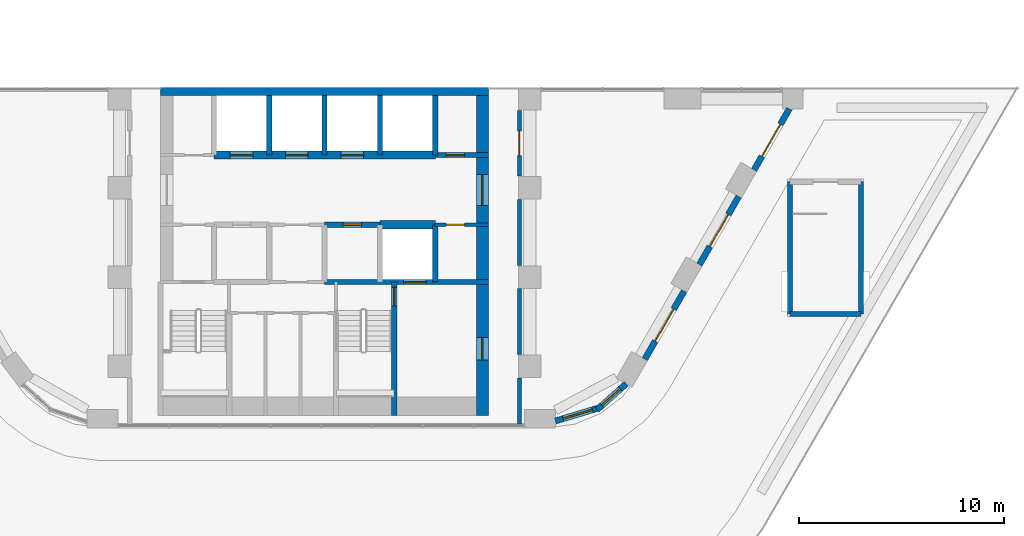
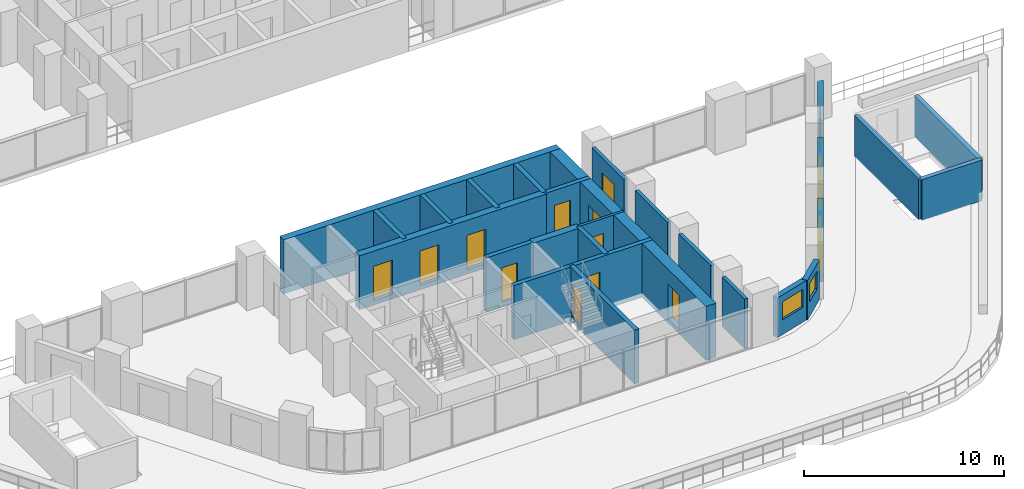
# One storey, part 12 of 24: 26 walls, 14 doors, 2 windows, 16 openings.
"""IFC4 building model written with IfcOpenShell, lengths in metres."""

from ifc_helpers import new_model, si_unit, direction, frame, frame_2d, origin, place, context, subcontext, project, spatial, rectangle, extrude, material, layer, layer_set, type_object, element, fill, save


model = new_model("IFC4")

# Units and contexts
model_context = context("Model", 3, precision=1e-05, world=origin(), true_north=direction((0.0, 1.0)))
body_context = subcontext(model_context, "Body", "Model", "MODEL_VIEW")
ifc_project = project(units=[si_unit("LENGTHUNIT", "METRE"), si_unit("AREAUNIT", "SQUARE_METRE"), si_unit("VOLUMEUNIT", "CUBIC_METRE"), si_unit("PLANEANGLEUNIT", "RADIAN"), si_unit("MASSUNIT", "GRAM", prefix="KILO")], contexts=[model_context])

# Site, building, storey
site_placement = place(None, origin())
site = spatial("IfcSite", under=ifc_project, at=site_placement, CompositionType="ELEMENT")
building_placement = place(site_placement, origin())
building = spatial("IfcBuilding", under=site, at=building_placement, Name="Nakaniwa Court", CompositionType="ELEMENT")
storey_placement = place(building_placement, frame((0.0, 0.0, 28.199951171875)))
storey = spatial("IfcBuildingStorey", under=building, at=storey_placement, Name="L06", CompositionType="ELEMENT", Elevation=28.199951171875)

# Walls
ifc_material_1 = material(Name="Acoustic double stud partition")
ifc_layer_1 = layer(ifc_material_1, 0.199951171875)
ifc_layer_set_1 = layer_set([ifc_layer_1], Name="Acoustic double stud partition")
wall_type_1 = type_object("IfcWallType", Name="Acoustic double stud partition 200", PredefinedType="PARTITIONING", material=ifc_layer_set_1)
wall_1_placement = place(storey_placement, frame((89.5, 56.179931640625, 0.0), z_axis=(0.0, 0.0, 1.0), x_axis=(0.0, 1.0, 0.0)))
element("IfcWall", 1, at=wall_1_placement, inside=storey, type_object=wall_type_1, Name="Partition PW-069", PredefinedType="PARTITIONING", context=body_context, shape_type="SweptSolid", body=[
    extrude(rectangle(XDim=2.253173828125, YDim=0.199951171875, at=frame_2d((1.12646484375, 0.0))), origin(), (0.0, 0.0, 1.0), 3.025146484375),
])
for number, where, z_axis, x_axis, name in (
    (2, (89.5, 59.56689453125, 0.0), (0.0, 0.0, 1.0), (0.0, 1.0, 0.0), "Partition PW-070"),
    (3, (89.5, 63.9169921875, 0.0), (0.0, 0.0, 1.0), (0.0, 1.0, 0.0), "Partition PW-071"),
):
    element("IfcWall", number, at=place(storey_placement, frame(where, z_axis=z_axis, x_axis=x_axis)), inside=storey, type_object=wall_type_1, Name=name, PredefinedType="PARTITIONING", context=body_context, shape_type="SweptSolid", body=[
        extrude(rectangle(XDim=3.216064453125, YDim=0.199951171875, at=frame_2d((1.60791015625, 0.0))), origin(), (0.0, 0.0, 1.0), 3.025146484375),
    ])

# Wall, opening, door
wall_2_placement = place(storey_placement, frame((89.5, 71.48291015625, 0.0), z_axis=(0.0, 0.0, 1.0), x_axis=(0.0, -1.0, 0.0)))
wall_2 = element("IfcWall", 4, at=wall_2_placement, inside=storey, type_object=wall_type_1, Name="Partition PW-072", PredefinedType="PARTITIONING", context=body_context, shape_type="SweptSolid", body=[
    extrude(rectangle(XDim=3.2158203125, YDim=0.199951171875, at=frame_2d((1.60791015625, 0.0))), origin(), (0.0, 0.0, 1.0), 3.025146484375),
])
opening_1_placement = place(wall_2_placement, frame((1.008056640625, 0.0, 0.0)))
opening_1 = element("IfcOpeningElement", 5, at=opening_1_placement, cuts=wall_2, Name="Opening D-30-01", PredefinedType="OPENING", context=body_context, shape_type="SweptSolid", body=[
    extrude(rectangle(XDim=1.199951171875, YDim=2.10009765625, at=frame_2d((0.60009765625, 1.050048828125))), frame((0.0, 0.10986328125, 0.0), z_axis=(0.0, -1.0, 0.0), x_axis=(1.0, 0.0, 0.0)), (0.0, 0.0, 1.0), 0.219970703125),
])
ifc_material_2 = material(Name="Solid core timber door set, black veneer", Category="wood")
door_type_1 = type_object("IfcDoorType", Name="Internal door 1200", OperationType="NOTDEFINED", PredefinedType="DOOR", material=ifc_material_2)
door_1_placement = place(opening_1_placement, origin())
door_1 = element("IfcDoor", 6, at=door_1_placement, inside=storey, type_object=door_type_1, Name="Door D-30-01 L06-027", OperationType="SINGLE_SWING_RIGHT", OverallHeight=2.10009765625, OverallWidth=1.199951171875, PredefinedType="DOOR", context=body_context, shape_type="SweptSolid", body=[
    extrude(rectangle(XDim=1.199951171875, YDim=2.10009765625, at=frame_2d((0.60009765625, 1.050048828125))), frame((0.0, 0.02490234375, 0.0), z_axis=(0.0, -1.0, 0.0), x_axis=(1.0, 0.0, 0.0)), (0.0, 0.0, 1.0), 0.050048828125),
])
fill(opening_1, door_1)

ifc_material_3 = material(Name="Charcoal ceramic cladding")
ifc_layer_2 = layer(ifc_material_3, 0.02, Name="Ceramic cladding")
ifc_material_4 = material(Name="Ventilated air cavity")
ifc_layer_3 = layer(ifc_material_4, 0.04, ventilated=True, Name="Ventilated cavity")
ifc_material_5 = material(Name="Mineral wool insulation")
ifc_layer_4 = layer(ifc_material_5, 0.1, Name="Insulation")
ifc_material_6 = material(Name="Cement bonded sheathing board")
ifc_layer_5 = layer(ifc_material_6, 0.012, Name="Sheathing")
ifc_material_7 = material(Name="Cold-formed galvanised stud frame with mineral wool infill")
ifc_layer_6 = layer(ifc_material_7, 0.1, Name="Stud frame")
ifc_material_8 = material(Name="Fire-rated gypsum plasterboard lining")
ifc_layer_7 = layer(ifc_material_8, 0.028, Name="Lining")
ifc_layer_set_2 = layer_set([ifc_layer_2, ifc_layer_3, ifc_layer_4, ifc_layer_5, ifc_layer_6, ifc_layer_7], Name="Charcoal ceramic faced external wall system")
wall_type_2 = type_object("IfcWallType", Name="Black ceramic faced external wall 300", PredefinedType="SOLIDWALL", material=ifc_layer_set_2)
wall_3_placement = place(storey_placement, frame((98.2783203125, 63.958984375, 0.0), z_axis=(0.0, 0.0, 1.0), x_axis=(0.500001735503, 0.866024401789, 0.0)))
wall_3 = element("IfcWall", 7, at=wall_3_placement, inside=storey, type_object=wall_type_2, Name="L06 deck wall 00", PredefinedType="SOLIDWALL", context=body_context, shape_type="SweptSolid", body=[
    extrude(rectangle(XDim=3.833984375, YDim=0.300048828125, at=frame_2d((1.9169921875, 0.0))), origin(), (0.0, 0.0, 1.0), 2.425048828125),
])
opening_2_placement = place(wall_3_placement, frame((1.01708984375, 0.0, 0.0)))
opening_2 = element("IfcOpeningElement", 8, at=opening_2_placement, cuts=wall_3, Name="Opening XD9.01", PredefinedType="OPENING", context=body_context, shape_type="SweptSolid", body=[
    extrude(rectangle(XDim=1.800048828125, YDim=2.0, at=frame_2d((0.89990234375, 1.0))), frame((0.0, 0.159912109375, 0.0), z_axis=(0.0, -1.0, 0.0), x_axis=(1.0, 0.0, 0.0)), (0.0, 0.0, 1.0), 0.320068359375),
])
ifc_material_9 = material(Name="Black powder-coated aluminium frame with dark laminated glass", Category="aluminium")
door_type_2 = type_object("IfcDoorType", Name="Deck double door 1800x2000", OperationType="DOUBLE_DOOR_SINGLE_SWING", PredefinedType="DOOR", material=ifc_material_9)
door_2_placement = place(opening_2_placement, frame((1.800048828125, 0.0, 0.0), z_axis=(0.0, 0.0, 1.0), x_axis=(-1.0, 0.0, 0.0)))
door_2 = element("IfcDoor", 9, at=door_2_placement, inside=storey, type_object=door_type_2, Name="L06 deck double door 00", OperationType="DOUBLE_DOOR_SINGLE_SWING", OverallHeight=2.0, OverallWidth=1.800048828125, PredefinedType="DOOR", context=body_context, shape_type="SweptSolid", body=[
    extrude(rectangle(XDim=1.800048828125, YDim=2.0, at=frame_2d((0.89990234375, 1.0))), frame((0.0, 0.02490234375, 0.0), z_axis=(0.0, -1.0, 0.0), x_axis=(1.0, 0.0, 0.0)), (0.0, 0.0, 1.0), 0.050048828125),
])
fill(opening_2, door_2)

wall_4_placement = place(storey_placement, frame((100.941162109375, 68.5712890625, 0.0), z_axis=(0.0, 0.0, 1.0), x_axis=(0.500035437112, 0.866004943191, 0.0)))
wall_4 = element("IfcWall", 10, at=wall_4_placement, inside=storey, type_object=wall_type_2, Name="L06 deck wall 01", PredefinedType="SOLIDWALL", context=body_context, shape_type="SweptSolid", body=[
    extrude(rectangle(XDim=3.443603515625, YDim=0.300048828125, at=frame_2d((1.7216796875, 0.0))), origin(), (0.0, 0.0, 1.0), 2.425048828125),
])
opening_3_placement = place(wall_4_placement, frame((0.77099609375, 0.0, 0.0)))
opening_3 = element("IfcOpeningElement", 11, at=opening_3_placement, cuts=wall_4, Name="Opening XD9.02", PredefinedType="OPENING", context=body_context, shape_type="SweptSolid", body=[
    extrude(rectangle(XDim=1.800048828125, YDim=2.0, at=frame_2d((0.89990234375, 1.0))), frame((0.0, 0.159912109375, 0.0), z_axis=(0.0, -1.0, 0.0), x_axis=(1.0, 0.0, 0.0)), (0.0, 0.0, 1.0), 0.320068359375),
])
door_3_placement = place(opening_3_placement, frame((1.800048828125, 0.0, 0.0), z_axis=(0.0, 0.0, 1.0), x_axis=(-1.0, 0.0, 0.0)))
door_3 = element("IfcDoor", 12, at=door_3_placement, inside=storey, type_object=door_type_2, Name="L06 deck double door 01", OperationType="DOUBLE_DOOR_SINGLE_SWING", OverallHeight=2.0, OverallWidth=1.800048828125, PredefinedType="DOOR", context=body_context, shape_type="SweptSolid", body=[
    extrude(rectangle(XDim=1.800048828125, YDim=2.0, at=frame_2d((0.89990234375, 1.0))), frame((0.0, 0.02490234375, 0.0), z_axis=(0.0, -1.0, 0.0), x_axis=(1.0, 0.0, 0.0)), (0.0, 0.0, 1.0), 0.050048828125),
])
fill(opening_3, door_3)

# Wall, opening, window
wall_5_placement = place(storey_placement, frame((91.25341796875, 56.331298828125, 0.0), z_axis=(0.0, 0.0, 1.0), x_axis=(0.957433631901, 0.288653495569, 0.0)))
wall_5 = element("IfcWall", 13, at=wall_5_placement, inside=storey, type_object=wall_type_2, Name="L06 external wall 12", PredefinedType="SOLIDWALL", context=body_context, shape_type="SweptSolid", body=[
    extrude(rectangle(XDim=2.212646484375, YDim=0.300048828125, at=frame_2d((1.1064453125, 0.0))), origin(), (0.0, 0.0, 1.0), 2.425048828125),
])
opening_4_placement = place(wall_5_placement, frame((0.394287109375, 0.0, 0.89990234375)))
opening_4 = element("IfcOpeningElement", 14, at=opening_4_placement, cuts=wall_5, Name="Opening W5.01", PredefinedType="OPENING", context=body_context, shape_type="SweptSolid", body=[
    extrude(rectangle(XDim=1.5, YDim=1.10009765625, at=frame_2d((0.75, 0.550048828125))), frame((0.0, 0.159912109375, 0.0), z_axis=(0.0, -1.0, 0.0), x_axis=(1.0, 0.0, 0.0)), (0.0, 0.0, 1.0), 0.320068359375),
])
ifc_material_10 = material(Name="Black anodised aluminium frame with dark low-E laminated double glazing", Category="aluminium")
window_type_1 = type_object("IfcWindowType", Name="Dark glass window 1500x1100 sill 900", PartitioningType="SINGLE_PANEL", PredefinedType="WINDOW", material=ifc_material_10)
window_1_placement = place(opening_4_placement, origin())
window_1 = element("IfcWindow", 15, at=window_1_placement, inside=storey, type_object=window_type_1, Name="L06 habitable room window 12-0", OverallHeight=1.10009765625, OverallWidth=1.5, PartitioningType="SINGLE_PANEL", PredefinedType="WINDOW", context=body_context, shape_type="SweptSolid", body=[
    extrude(rectangle(XDim=1.5, YDim=1.10009765625, at=frame_2d((0.75, 0.550048828125))), frame((0.0, 0.030029296875, 0.0), z_axis=(0.0, -1.0, 0.0), x_axis=(1.0, 0.0, 0.0)), (0.0, 0.0, 1.0), 0.06005859375),
])
fill(opening_4, window_1)

wall_6_placement = place(storey_placement, frame((93.288818359375, 56.882568359375, 0.0), z_axis=(0.0, 0.0, 1.0), x_axis=(0.746941556212, 0.664889698825, 0.0)))
wall_6 = element("IfcWall", 16, at=wall_6_placement, inside=storey, type_object=wall_type_2, Name="L06 external wall 13", PredefinedType="SOLIDWALL", context=body_context, shape_type="SweptSolid", body=[
    extrude(rectangle(XDim=1.9013671875, YDim=0.300048828125, at=frame_2d((0.95068359375, 0.0))), origin(), (0.0, 0.0, 1.0), 2.425048828125),
])
opening_5_placement = place(wall_6_placement, frame((0.31005859375, 0.0, 0.89990234375)))
opening_5 = element("IfcOpeningElement", 17, at=opening_5_placement, cuts=wall_6, Name="Opening W6.02", PredefinedType="OPENING", context=body_context, shape_type="SweptSolid", body=[
    extrude(rectangle(XDim=1.199951171875, YDim=1.10009765625, at=frame_2d((0.60009765625, 0.550048828125))), frame((0.0, 0.159912109375, 0.0), z_axis=(0.0, -1.0, 0.0), x_axis=(1.0, 0.0, 0.0)), (0.0, 0.0, 1.0), 0.320068359375),
])
window_type_2 = type_object("IfcWindowType", Name="Dark glass window 1200x1100 sill 900", PartitioningType="SINGLE_PANEL", PredefinedType="WINDOW", material=ifc_material_10)
window_2_placement = place(opening_5_placement, origin())
window_2 = element("IfcWindow", 18, at=window_2_placement, inside=storey, type_object=window_type_2, Name="L06 habitable room window 13-0", OverallHeight=1.10009765625, OverallWidth=1.199951171875, PartitioningType="SINGLE_PANEL", PredefinedType="WINDOW", context=body_context, shape_type="SweptSolid", body=[
    extrude(rectangle(XDim=1.199951171875, YDim=1.10009765625, at=frame_2d((0.60009765625, 0.550048828125))), frame((0.0, 0.030029296875, 0.0), z_axis=(0.0, -1.0, 0.0), x_axis=(1.0, 0.0, 0.0)), (0.0, 0.0, 1.0), 0.06005859375),
])
fill(opening_5, window_2)

# Wall, opening, door
wall_7_placement = place(storey_placement, frame((95.615234375, 59.346435546875, 0.0), z_axis=(0.0, 0.0, 1.0), x_axis=(0.499974163209, 0.866040320149, 0.0)))
wall_7 = element("IfcWall", 19, at=wall_7_placement, inside=storey, type_object=wall_type_2, Name="L06 deck wall 14", PredefinedType="SOLIDWALL", context=body_context, shape_type="SweptSolid", body=[
    extrude(rectangle(XDim=3.834228515625, YDim=0.300048828125, at=frame_2d((1.9169921875, 0.0))), origin(), (0.0, 0.0, 1.0), 2.425048828125),
])
opening_6_placement = place(wall_7_placement, frame((1.01708984375, 0.0, 0.0)))
opening_6 = element("IfcOpeningElement", 20, at=opening_6_placement, cuts=wall_7, Name="Opening XD9.06", PredefinedType="OPENING", context=body_context, shape_type="SweptSolid", body=[
    extrude(rectangle(XDim=1.800048828125, YDim=2.0, at=frame_2d((0.89990234375, 1.0))), frame((0.0, 0.159912109375, 0.0), z_axis=(0.0, -1.0, 0.0), x_axis=(1.0, 0.0, 0.0)), (0.0, 0.0, 1.0), 0.320068359375),
])
door_4_placement = place(opening_6_placement, frame((1.800048828125, 0.0, 0.0), z_axis=(0.0, 0.0, 1.0), x_axis=(-1.0, 0.0, 0.0)))
door_4 = element("IfcDoor", 21, at=door_4_placement, inside=storey, type_object=door_type_2, Name="L06 deck double door 14", OperationType="DOUBLE_DOOR_SINGLE_SWING", OverallHeight=2.0, OverallWidth=1.800048828125, PredefinedType="DOOR", context=body_context, shape_type="SweptSolid", body=[
    extrude(rectangle(XDim=1.800048828125, YDim=2.0, at=frame_2d((0.89990234375, 1.0))), frame((0.0, 0.02490234375, 0.0), z_axis=(0.0, -1.0, 0.0), x_axis=(1.0, 0.0, 0.0)), (0.0, 0.0, 1.0), 0.050048828125),
])
fill(opening_6, door_4)

ifc_material_11 = material(Name="Blockwork partition", Category="masonry")
ifc_layer_8 = layer(ifc_material_11, 0.14990234375)
ifc_layer_set_3 = layer_set([ifc_layer_8], Name="Blockwork partition")
wall_type_3 = type_object("IfcWallType", Name="Blockwork partition 150", PredefinedType="PARTITIONING", material=ifc_layer_set_3)
wall_8_placement = place(storey_placement, frame((88.0, 65.89990234375, 0.0), z_axis=(0.0, 0.0, 1.0), x_axis=(-1.0, 0.0, 0.0)))
wall_8 = element("IfcWall", 22, at=wall_8_placement, inside=storey, type_object=wall_type_3, Name="Partition PW-052", PredefinedType="PARTITIONING", context=body_context, shape_type="SweptSolid", body=[
    extrude(rectangle(XDim=2.60302734375, YDim=0.14990234375, at=frame_2d((1.301513671875, 0.0))), origin(), (0.0, 0.0, 1.0), 3.025146484375),
])
opening_7_placement = place(wall_8_placement, frame((1.175048828125, 0.0, 0.0)))
opening_7 = element("IfcOpeningElement", 23, at=opening_7_placement, cuts=wall_8, Name="Opening D-05-13", PredefinedType="OPENING", context=body_context, shape_type="SweptSolid", body=[
    extrude(rectangle(XDim=0.89990234375, YDim=2.10009765625, at=frame_2d((0.449951171875, 1.050048828125))), frame((0.0, 0.0849609375, 0.0), z_axis=(0.0, -1.0, 0.0), x_axis=(1.0, 0.0, 0.0)), (0.0, 0.0, 1.0), 0.169921875),
])
ifc_material_12 = material(Name="Fire rated steel door set", Category="steel")
door_type_3 = type_object("IfcDoorType", Name="Service room door 900", OperationType="NOTDEFINED", PredefinedType="DOOR", material=ifc_material_12)
door_5_placement = place(opening_7_placement, origin())
door_5 = element("IfcDoor", 24, at=door_5_placement, inside=storey, type_object=door_type_3, Name="Door D-05-13 L06-020", OperationType="SINGLE_SWING_LEFT", OverallHeight=2.10009765625, OverallWidth=0.89990234375, PredefinedType="DOOR", context=body_context, shape_type="SweptSolid", body=[
    extrude(rectangle(XDim=0.89990234375, YDim=2.10009765625, at=frame_2d((0.449951171875, 1.050048828125))), frame((0.0, 0.02490234375, 0.0), z_axis=(0.0, -1.0, 0.0), x_axis=(1.0, 0.0, 0.0)), (0.0, 0.0, 1.0), 0.050048828125),
])
fill(opening_7, door_5)

# Wall, openings, doors
ifc_material_13 = material(Name="Concrete C100/115", Category="concrete")
ifc_layer_9 = layer(ifc_material_13, 0.60009765625)
ifc_layer_set_4 = layer_set([ifc_layer_9], Name="Concrete C100/115")
wall_type_4 = type_object("IfcWallType", Name="Concrete core side wall 600 C100", PredefinedType="SHEAR", material=ifc_layer_set_4)
wall_9_placement = place(storey_placement, frame((87.699951171875, 72.199951171875, -0.27490234375), z_axis=(0.0, 0.0, 1.0), x_axis=(0.0, -1.0, 0.0)))
wall_9 = element("IfcWall", 25, at=wall_9_placement, inside=storey, type_object=wall_type_4, Name="Core wall SW-49", PredefinedType="SHEAR", context=body_context, shape_type="SweptSolid", body=[
    extrude(rectangle(XDim=15.599853515625, YDim=0.60009765625, at=frame_2d((7.7998046875, 0.0))), origin(), (0.0, 0.0, 1.0), 3.300048828125),
])
opening_8_placement = place(wall_9_placement, frame((3.85009765625, 0.0, 0.27490234375)))
opening_8 = element("IfcOpeningElement", 26, at=opening_8_placement, cuts=wall_9, Name="Opening D-07-03", PredefinedType="OPENING", context=body_context, shape_type="SweptSolid", body=[
    extrude(rectangle(XDim=1.5, YDim=2.10009765625, at=frame_2d((0.75, 1.050048828125))), frame((0.0, 0.31005859375, 0.0), z_axis=(0.0, -1.0, 0.0), x_axis=(1.0, 0.0, 0.0)), (0.0, 0.0, 1.0), 0.6201171875),
])
opening_9_placement = place(wall_9_placement, frame((11.800048828125, 0.0, 0.27490234375)))
opening_9 = element("IfcOpeningElement", 27, at=opening_9_placement, cuts=wall_9, Name="Opening D-10-02", PredefinedType="OPENING", context=body_context, shape_type="SweptSolid", body=[
    extrude(rectangle(XDim=1.10009765625, YDim=2.10009765625, at=frame_2d((0.550048828125, 1.050048828125))), frame((0.0, 0.31005859375, 0.0), z_axis=(0.0, -1.0, 0.0), x_axis=(1.0, 0.0, 0.0)), (0.0, 0.0, 1.0), 0.6201171875),
])
door_type_4 = type_object("IfcDoorType", Name="Firefighting lobby door 1100", OperationType="NOTDEFINED", PredefinedType="DOOR", material=ifc_material_12)
door_6_placement = place(opening_9_placement, origin())
door_6 = element("IfcDoor", 28, at=door_6_placement, inside=storey, type_object=door_type_4, Name="Door D-10-02 L06-036", OperationType="SINGLE_SWING_LEFT", OverallHeight=2.10009765625, OverallWidth=1.10009765625, PredefinedType="DOOR", context=body_context, shape_type="SweptSolid", body=[
    extrude(rectangle(XDim=1.10009765625, YDim=2.10009765625, at=frame_2d((0.550048828125, 1.050048828125))), frame((0.0, 0.02490234375, 0.0), z_axis=(0.0, -1.0, 0.0), x_axis=(1.0, 0.0, 0.0)), (0.0, 0.0, 1.0), 0.050048828125),
])
fill(opening_9, door_6)
ifc_material_14 = material(Name="Glazed fire rated steel double door set", Category="steel")
door_type_5 = type_object("IfcDoorType", Name="Lobby double door 1500", OperationType="NOTDEFINED", PredefinedType="DOOR", material=ifc_material_14)
door_7_placement = place(opening_8_placement, origin())
door_7 = element("IfcDoor", 29, at=door_7_placement, inside=storey, type_object=door_type_5, Name="Door D-07-03 L06-034", OperationType="DOUBLE_DOOR_SINGLE_SWING", OverallHeight=2.10009765625, OverallWidth=1.5, PredefinedType="DOOR", context=body_context, shape_type="SweptSolid", body=[
    extrude(rectangle(XDim=1.5, YDim=2.10009765625, at=frame_2d((0.75, 1.050048828125))), frame((0.0, 0.02490234375, 0.0), z_axis=(0.0, -1.0, 0.0), x_axis=(1.0, 0.0, 0.0)), (0.0, 0.0, 1.0), 0.050048828125),
])
fill(opening_8, door_7)

ifc_layer_10 = layer(ifc_material_13, 0.39990234375)
ifc_layer_set_5 = layer_set([ifc_layer_10], Name="Concrete C100/115")
wall_type_5 = type_object("IfcWallType", Name="Concrete core spine wall 400 C100", PredefinedType="SHEAR", material=ifc_layer_set_5)
wall_10_placement = place(storey_placement, frame((74.60009765625, 69.300048828125, -0.27490234375), z_axis=(0.0, 0.0, 1.0), x_axis=(1.0, 0.0, 0.0)))
wall_10 = element("IfcWall", 30, at=wall_10_placement, inside=storey, type_object=wall_type_5, Name="Core wall SW-41", PredefinedType="SHEAR", context=body_context, shape_type="SweptSolid", body=[
    extrude(rectangle(XDim=10.7998046875, YDim=0.39990234375, at=frame_2d((5.39990234375, 0.0))), origin(), (0.0, 0.0, 1.0), 3.300048828125),
])
opening_10_placement = place(wall_10_placement, frame((0.800048828125, 0.0, 0.27490234375)))
opening_10 = element("IfcOpeningElement", 31, at=opening_10_placement, cuts=wall_10, Name="Opening LD05", PredefinedType="OPENING", context=body_context, shape_type="SweptSolid", body=[
    extrude(rectangle(XDim=1.10009765625, YDim=2.10009765625, at=frame_2d((0.550048828125, 1.050048828125))), frame((0.0, 0.2099609375, 0.0), z_axis=(0.0, -1.0, 0.0), x_axis=(1.0, 0.0, 0.0)), (0.0, 0.0, 1.0), 0.419921875),
])
opening_11_placement = place(wall_10_placement, frame((3.5, 0.0, 0.27490234375)))
opening_11 = element("IfcOpeningElement", 32, at=opening_11_placement, cuts=wall_10, Name="Opening LD06", PredefinedType="OPENING", context=body_context, shape_type="SweptSolid", body=[
    extrude(rectangle(XDim=1.10009765625, YDim=2.10009765625, at=frame_2d((0.550048828125, 1.050048828125))), frame((0.0, 0.2099609375, 0.0), z_axis=(0.0, -1.0, 0.0), x_axis=(1.0, 0.0, 0.0)), (0.0, 0.0, 1.0), 0.419921875),
])
opening_12_placement = place(wall_10_placement, frame((6.199951171875, 0.0, 0.27490234375)))
opening_12 = element("IfcOpeningElement", 33, at=opening_12_placement, cuts=wall_10, Name="Opening LD07", PredefinedType="OPENING", context=body_context, shape_type="SweptSolid", body=[
    extrude(rectangle(XDim=1.10009765625, YDim=2.10009765625, at=frame_2d((0.550048828125, 1.050048828125))), frame((0.0, 0.2099609375, 0.0), z_axis=(0.0, -1.0, 0.0), x_axis=(1.0, 0.0, 0.0)), (0.0, 0.0, 1.0), 0.419921875),
])
ifc_material_15 = material(Name="Stainless steel sliding lift landing door", Category="steel")
door_type_6 = type_object("IfcDoorType", Name="Lift landing door 1100", OperationType="NOTDEFINED", PredefinedType="DOOR", material=ifc_material_15)
door_8_placement = place(opening_10_placement, origin())
door_8 = element("IfcDoor", 34, at=door_8_placement, inside=storey, type_object=door_type_6, Name="Lift landing door LD05 L06-005", OperationType="SLIDING_TO_LEFT", OverallHeight=2.10009765625, OverallWidth=1.10009765625, PredefinedType="DOOR", context=body_context, shape_type="SweptSolid", body=[
    extrude(rectangle(XDim=1.10009765625, YDim=2.10009765625, at=frame_2d((0.550048828125, 1.050048828125))), frame((0.0, 0.02490234375, 0.0), z_axis=(0.0, -1.0, 0.0), x_axis=(1.0, 0.0, 0.0)), (0.0, 0.0, 1.0), 0.050048828125),
])
fill(opening_10, door_8)
door_9_placement = place(opening_11_placement, origin())
door_9 = element("IfcDoor", 35, at=door_9_placement, inside=storey, type_object=door_type_6, Name="Lift landing door LD06 L06-006", OperationType="SLIDING_TO_LEFT", OverallHeight=2.10009765625, OverallWidth=1.10009765625, PredefinedType="DOOR", context=body_context, shape_type="SweptSolid", body=[
    extrude(rectangle(XDim=1.10009765625, YDim=2.10009765625, at=frame_2d((0.550048828125, 1.050048828125))), frame((0.0, 0.02490234375, 0.0), z_axis=(0.0, -1.0, 0.0), x_axis=(1.0, 0.0, 0.0)), (0.0, 0.0, 1.0), 0.050048828125),
])
fill(opening_11, door_9)
door_10_placement = place(opening_12_placement, origin())
door_10 = element("IfcDoor", 36, at=door_10_placement, inside=storey, type_object=door_type_6, Name="Lift landing door LD07 L06-007", OperationType="SLIDING_TO_LEFT", OverallHeight=2.10009765625, OverallWidth=1.10009765625, PredefinedType="DOOR", context=body_context, shape_type="SweptSolid", body=[
    extrude(rectangle(XDim=1.10009765625, YDim=2.10009765625, at=frame_2d((0.550048828125, 1.050048828125))), frame((0.0, 0.02490234375, 0.0), z_axis=(0.0, -1.0, 0.0), x_axis=(1.0, 0.0, 0.0)), (0.0, 0.0, 1.0), 0.050048828125),
])
fill(opening_12, door_10)

# Walls
wall_11_placement = place(storey_placement, frame((82.697021484375, 65.89990234375, -0.27490234375), z_axis=(0.0, 0.0, 1.0), x_axis=(1.0, 0.0, 0.0)))
element("IfcWall", 37, at=wall_11_placement, inside=storey, type_object=wall_type_5, Name="Core wall SW-55", PredefinedType="SHEAR", context=body_context, shape_type="SweptSolid", body=[
    extrude(rectangle(XDim=2.7060546875, YDim=0.39990234375, at=frame_2d((1.35302734375, 0.0))), origin(), (0.0, 0.0, 1.0), 3.300048828125),
])
ifc_layer_11 = layer(ifc_material_13, 0.39990234375)
ifc_layer_set_6 = layer_set([ifc_layer_11], Name="Concrete C100/115")
wall_type_6 = type_object("IfcWallType", Name="Concrete core well wall 400 C100", PredefinedType="SHEAR", material=ifc_layer_set_6)
wall_12_placement = place(storey_placement, frame((72.00390625, 72.39990234375, -0.27490234375), z_axis=(0.0, 0.0, 1.0), x_axis=(1.0, 0.0, 0.0)))
element("IfcWall", 38, at=wall_12_placement, inside=storey, type_object=wall_type_6, Name="Core wall SW-87", PredefinedType="SHEAR", context=body_context, shape_type="SweptSolid", body=[
    extrude(rectangle(XDim=15.9921875, YDim=0.39990234375, at=frame_2d((7.99609375, 0.0))), origin(), (0.0, 0.0, 1.0), 3.300048828125),
])
ifc_layer_12 = layer(ifc_material_13, 0.25)
ifc_layer_set_7 = layer_set([ifc_layer_12], Name="Concrete C100/115")
wall_type_7 = type_object("IfcWallType", Name="Concrete shaft wall 250 C100", PredefinedType="SHEAR", material=ifc_layer_set_7)
for number, where, z_axis, x_axis, name in (
    (39, (77.300048828125, 69.300048828125, -0.27490234375), (0.0, 0.0, 1.0), (0.0, 1.0, 0.0), "Core wall SW-40"),
    (40, (80.0, 69.300048828125, -0.27490234375), (0.0, 0.0, 1.0), (0.0, 1.0, 0.0), "Core wall SW-43"),
    (41, (82.699951171875, 69.300048828125, -0.27490234375), (0.0, 0.0, 1.0), (0.0, 1.0, 0.0), "Core wall SW-45"),
):
    element("IfcWall", number, at=place(storey_placement, frame(where, z_axis=z_axis, x_axis=x_axis)), inside=storey, type_object=wall_type_7, Name=name, PredefinedType="SHEAR", context=body_context, shape_type="SweptSolid", body=[
        extrude(rectangle(XDim=2.89990234375, YDim=0.25, at=frame_2d((1.449951171875, 0.0))), origin(), (0.0, 0.0, 1.0), 3.300048828125),
    ])
wall_13_placement = place(storey_placement, frame((85.39990234375, 63.10009765625, -0.27490234375), z_axis=(0.0, 0.0, 1.0), x_axis=(0.0, 1.0, 0.0)))
element("IfcWall", 42, at=wall_13_placement, inside=storey, type_object=wall_type_7, Name="Core wall SW-46", PredefinedType="SHEAR", context=body_context, shape_type="SweptSolid", body=[
    extrude(rectangle(XDim=2.7998046875, YDim=0.25, at=frame_2d((1.39990234375, 0.0))), origin(), (0.0, 0.0, 1.0), 3.300048828125),
])
wall_14_placement = place(storey_placement, frame((85.39990234375, 69.300048828125, -0.27490234375), z_axis=(0.0, 0.0, 1.0), x_axis=(0.0, 1.0, 0.0)))
element("IfcWall", 43, at=wall_14_placement, inside=storey, type_object=wall_type_7, Name="Core wall SW-47", PredefinedType="SHEAR", context=body_context, shape_type="SweptSolid", body=[
    extrude(rectangle(XDim=2.89990234375, YDim=0.25, at=frame_2d((1.449951171875, 0.0))), origin(), (0.0, 0.0, 1.0), 3.300048828125),
])

# Wall, opening, door
wall_15_placement = place(storey_placement, frame((85.39990234375, 69.300048828125, -0.27490234375), z_axis=(0.0, 0.0, 1.0), x_axis=(1.0, 0.0, 0.0)))
wall_15 = element("IfcWall", 44, at=wall_15_placement, inside=storey, type_object=wall_type_7, Name="Core wall SW-48", PredefinedType="SHEAR", context=body_context, shape_type="SweptSolid", body=[
    extrude(rectangle(XDim=2.60009765625, YDim=0.25, at=frame_2d((1.300048828125, 0.0))), origin(), (0.0, 0.0, 1.0), 3.300048828125),
])
opening_13_placement = place(wall_15_placement, frame((0.52490234375, 0.0, 0.27490234375)))
opening_13 = element("IfcOpeningElement", 45, at=opening_13_placement, cuts=wall_15, Name="Opening D-05-10", PredefinedType="OPENING", context=body_context, shape_type="SweptSolid", body=[
    extrude(rectangle(XDim=0.89990234375, YDim=2.10009765625, at=frame_2d((0.449951171875, 1.050048828125))), frame((0.0, 0.135009765625, 0.0), z_axis=(0.0, -1.0, 0.0), x_axis=(1.0, 0.0, 0.0)), (0.0, 0.0, 1.0), 0.27001953125),
])
door_11_placement = place(opening_13_placement, origin())
door_11 = element("IfcDoor", 46, at=door_11_placement, inside=storey, type_object=door_type_3, Name="Door D-05-10 L06-015", OperationType="SINGLE_SWING_RIGHT", OverallHeight=2.10009765625, OverallWidth=0.89990234375, PredefinedType="DOOR", context=body_context, shape_type="SweptSolid", body=[
    extrude(rectangle(XDim=0.89990234375, YDim=2.10009765625, at=frame_2d((0.449951171875, 1.050048828125))), frame((0.0, 0.02490234375, 0.0), z_axis=(0.0, -1.0, 0.0), x_axis=(1.0, 0.0, 0.0)), (0.0, 0.0, 1.0), 0.050048828125),
])
fill(opening_13, door_11)

wall_16_placement = place(storey_placement, frame((82.702880859375, 65.89990234375, -0.27490234375), z_axis=(0.0, 0.0, 1.0), x_axis=(-1.0, 0.0, 0.0)))
wall_16 = element("IfcWall", 47, at=wall_16_placement, inside=storey, type_object=wall_type_7, Name="Core wall SW-54", PredefinedType="SHEAR", context=body_context, shape_type="SweptSolid", body=[
    extrude(rectangle(XDim=2.705810546875, YDim=0.25, at=frame_2d((1.35302734375, 0.0))), origin(), (0.0, 0.0, 1.0), 3.300048828125),
])
opening_14_placement = place(wall_16_placement, frame((0.903076171875, 0.0, 0.27490234375)))
opening_14 = element("IfcOpeningElement", 48, at=opening_14_placement, cuts=wall_16, Name="Opening D-05-12", PredefinedType="OPENING", context=body_context, shape_type="SweptSolid", body=[
    extrude(rectangle(XDim=0.89990234375, YDim=2.10009765625, at=frame_2d((0.449951171875, 1.050048828125))), frame((0.0, 0.135009765625, 0.0), z_axis=(0.0, -1.0, 0.0), x_axis=(1.0, 0.0, 0.0)), (0.0, 0.0, 1.0), 0.27001953125),
])
door_12_placement = place(opening_14_placement, origin())
door_12 = element("IfcDoor", 49, at=door_12_placement, inside=storey, type_object=door_type_3, Name="Door D-05-12 L06-019", OperationType="SINGLE_SWING_RIGHT", OverallHeight=2.10009765625, OverallWidth=0.89990234375, PredefinedType="DOOR", context=body_context, shape_type="SweptSolid", body=[
    extrude(rectangle(XDim=0.89990234375, YDim=2.10009765625, at=frame_2d((0.449951171875, 1.050048828125))), frame((0.0, 0.02490234375, 0.0), z_axis=(0.0, -1.0, 0.0), x_axis=(1.0, 0.0, 0.0)), (0.0, 0.0, 1.0), 0.050048828125),
])
fill(opening_14, door_12)

wall_17_placement = place(storey_placement, frame((80.0, 63.10009765625, -0.27490234375), z_axis=(0.0, 0.0, 1.0), x_axis=(1.0, 0.0, 0.0)))
wall_17 = element("IfcWall", 50, at=wall_17_placement, inside=storey, type_object=wall_type_7, Name="Core wall SW-58", PredefinedType="SHEAR", context=body_context, shape_type="SweptSolid", body=[
    extrude(rectangle(XDim=8.0, YDim=0.25, at=frame_2d((4.0, 0.0))), origin(), (0.0, 0.0, 1.0), 3.300048828125),
])
opening_15_placement = place(wall_17_placement, frame((3.84912109375, 0.0, 0.27490234375)))
opening_15 = element("IfcOpeningElement", 51, at=opening_15_placement, cuts=wall_17, Name="Opening LD08", PredefinedType="OPENING", context=body_context, shape_type="SweptSolid", body=[
    extrude(rectangle(XDim=1.10009765625, YDim=2.10009765625, at=frame_2d((0.550048828125, 1.050048828125))), frame((0.0, 0.135009765625, 0.0), z_axis=(0.0, -1.0, 0.0), x_axis=(1.0, 0.0, 0.0)), (0.0, 0.0, 1.0), 0.27001953125),
])
door_13_placement = place(opening_15_placement, origin())
door_13 = element("IfcDoor", 52, at=door_13_placement, inside=storey, type_object=door_type_6, Name="Lift landing door LD08 L06-008", OperationType="SLIDING_TO_LEFT", OverallHeight=2.10009765625, OverallWidth=1.10009765625, PredefinedType="DOOR", context=body_context, shape_type="SweptSolid", body=[
    extrude(rectangle(XDim=1.10009765625, YDim=2.10009765625, at=frame_2d((0.550048828125, 1.050048828125))), frame((0.0, 0.02490234375, 0.0), z_axis=(0.0, -1.0, 0.0), x_axis=(1.0, 0.0, 0.0)), (0.0, 0.0, 1.0), 0.050048828125),
])
fill(opening_15, door_13)

wall_18_placement = place(storey_placement, frame((83.39990234375, 63.10009765625, -0.27490234375), z_axis=(0.0, 0.0, 1.0), x_axis=(0.0, -1.0, 0.0)))
wall_18 = element("IfcWall", 53, at=wall_18_placement, inside=storey, type_object=wall_type_7, Name="Core wall SW-63", PredefinedType="SHEAR", context=body_context, shape_type="SweptSolid", body=[
    extrude(rectangle(XDim=6.5, YDim=0.25, at=frame_2d((3.25, 0.0))), origin(), (0.0, 0.0, 1.0), 3.300048828125),
])
opening_16_placement = place(wall_18_placement, frame((0.25, 0.0, 0.27490234375)))
opening_16 = element("IfcOpeningElement", 54, at=opening_16_placement, cuts=wall_18, Name="Opening D-11-02", PredefinedType="OPENING", context=body_context, shape_type="SweptSolid", body=[
    extrude(rectangle(XDim=0.89990234375, YDim=2.10009765625, at=frame_2d((0.449951171875, 1.050048828125))), frame((0.0, 0.135009765625, 0.0), z_axis=(0.0, -1.0, 0.0), x_axis=(1.0, 0.0, 0.0)), (0.0, 0.0, 1.0), 0.27001953125),
])
door_type_7 = type_object("IfcDoorType", Name="Stair door 900", OperationType="NOTDEFINED", PredefinedType="DOOR", material=ifc_material_12)
door_14_placement = place(opening_16_placement, origin())
door_14 = element("IfcDoor", 55, at=door_14_placement, inside=storey, type_object=door_type_7, Name="Door D-11-02 L06-026", OperationType="SINGLE_SWING_RIGHT", OverallHeight=2.10009765625, OverallWidth=0.89990234375, PredefinedType="DOOR", context=body_context, shape_type="SweptSolid", body=[
    extrude(rectangle(XDim=0.89990234375, YDim=2.10009765625, at=frame_2d((0.449951171875, 1.050048828125))), frame((0.0, 0.02490234375, 0.0), z_axis=(0.0, -1.0, 0.0), x_axis=(1.0, 0.0, 0.0)), (0.0, 0.0, 1.0), 0.050048828125),
])
fill(opening_16, door_14)

# Walls
ifc_layer_13 = layer(ifc_material_13, 0.25)
ifc_layer_set_8 = layer_set([ifc_layer_13], Name="Concrete C100/115")
wall_type_8 = type_object("IfcWallType", Name="Concrete shaft wall 250 C100 external", PredefinedType="SHEAR", material=ifc_layer_set_8)
wall_19_placement = place(storey_placement, frame((106.14990234375, 61.550048828125, 0.0), z_axis=(0.0, 0.0, 1.0), x_axis=(-1.0, 0.0, 0.0)))
element("IfcWall", 56, at=wall_19_placement, inside=storey, type_object=wall_type_8, Name="Stair head house wall SW-98", PredefinedType="SHEAR", context=body_context, shape_type="SweptSolid", body=[
    extrude(rectangle(XDim=3.449951171875, YDim=0.25, at=frame_2d((1.72509765625, 0.0))), origin(), (0.0, 0.0, 1.0), 2.5),
])
for number, where, z_axis, x_axis, name in (
    (57, (106.14990234375, 61.550048828125, 0.0), (0.0, 0.0, 1.0), (0.0, 1.0, 0.0), "Stair head house wall SW-99"),
    (58, (102.699951171875, 68.0, 0.0), (0.0, 0.0, 1.0), (0.0, -1.0, 0.0), "Stair head house wall SW-100"),
):
    element("IfcWall", number, at=place(storey_placement, frame(where, z_axis=z_axis, x_axis=x_axis)), inside=storey, type_object=wall_type_8, Name=name, PredefinedType="SHEAR", context=body_context, shape_type="SweptSolid", body=[
        extrude(rectangle(XDim=6.449951171875, YDim=0.25, at=frame_2d((3.22509765625, 0.0))), origin(), (0.0, 0.0, 1.0), 2.5),
    ])

save(model, "model.ifc")
